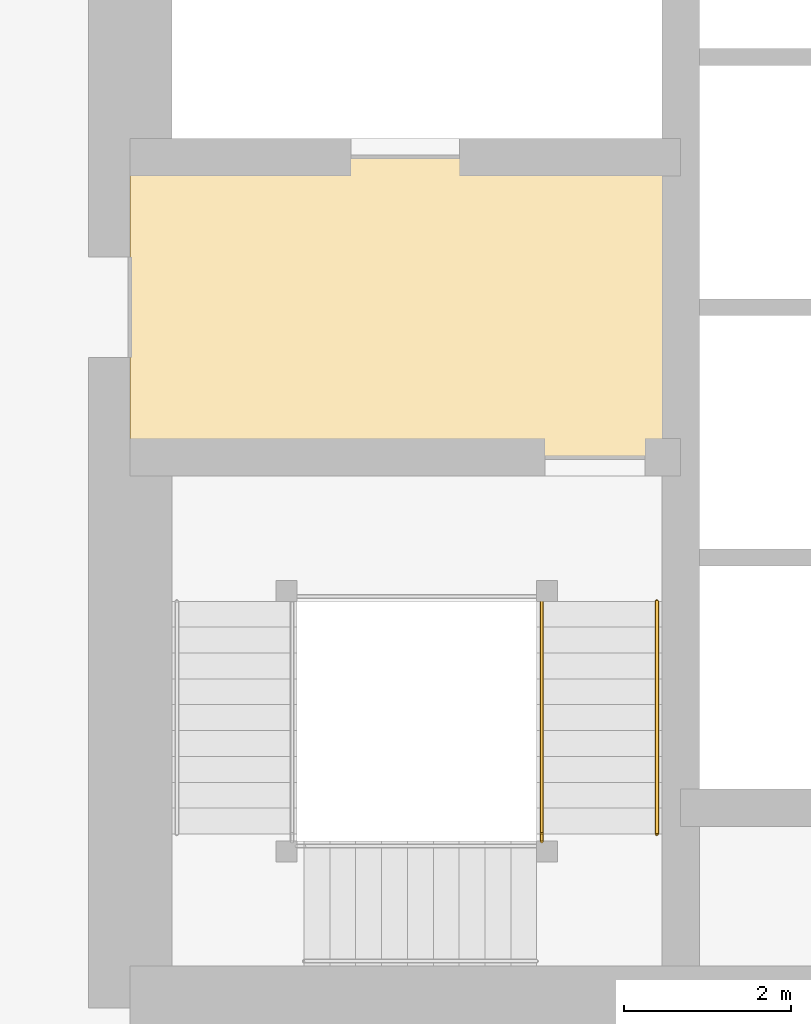
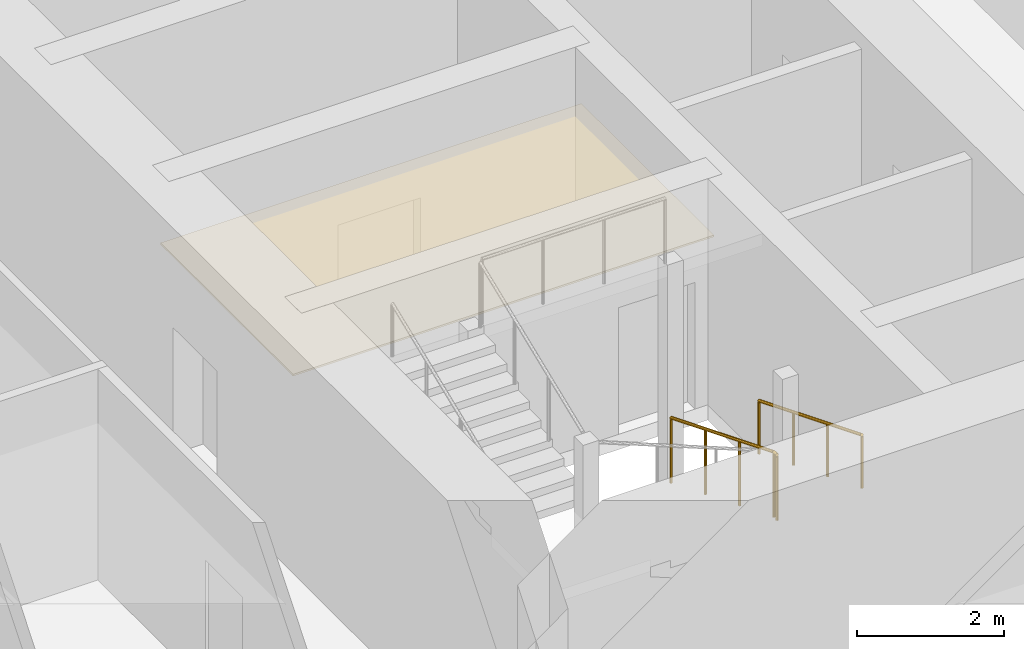
# One storey, part 29 of 37: 3 railings, 1 covering.
"""IFC4 building model written with IfcOpenShell, lengths in metres."""

from ifc_helpers import new_model, si_unit, direction, frame, origin, origin_2d, place, context, subcontext, project, spatial, polyline, circle, outline, extrude, material, layer, layer_set, type_object, element, save


model = new_model("IFC4")

# Units and contexts
model_context = context("Model", 3, precision=1e-05, world=origin(), true_north=direction((0.0, 1.0)))
body_context = subcontext(model_context, "Body", "Model", "MODEL_VIEW")
ifc_project = project(units=[si_unit("LENGTHUNIT", "METRE"), si_unit("AREAUNIT", "SQUARE_METRE"), si_unit("VOLUMEUNIT", "CUBIC_METRE"), si_unit("PLANEANGLEUNIT", "RADIAN"), si_unit("MASSUNIT", "GRAM", prefix="KILO")], contexts=[model_context])

# Site, building, storey
site_placement = place(None, origin())
site = spatial("IfcSite", under=ifc_project, at=site_placement, CompositionType="ELEMENT")
building_placement = place(site_placement, origin())
building = spatial("IfcBuilding", under=site, at=building_placement, Name="Rekha Terrace Tower", CompositionType="ELEMENT")
storey_placement = place(building_placement, frame((0.0, 0.0, 232.699951171875)))
storey = spatial("IfcBuildingStorey", under=building, at=storey_placement, Name="L59", CompositionType="ELEMENT", Elevation=232.699951171875)

# Covering
ifc_material_1 = material(Name="Powder-coated aluminium pan", Category="aluminium")
ifc_layer = layer(ifc_material_1, 0.030029296875)
ifc_layer_set = layer_set([ifc_layer], Name="Powder-coated aluminium pan")
covering_type = type_object("IfcCoveringType", Name="CL3 300x1200 metal pan ceiling", PredefinedType="CEILING", material=ifc_layer_set)
covering_placement = place(storey_placement, frame((0.0, 0.0, 2.570068359375)))
element("IfcCovering", 1, at=covering_placement, inside=storey, type_object=covering_type, Name="Ceiling L59-FLB1", PredefinedType="CEILING", context=body_context, shape_type="SweptSolid", body=[
    extrude(outline(polyline([(31.800048828125, 31.199951171875), (25.199951171875, 31.199951171875), (25.199951171875, 27.60009765625), (31.800048828125, 27.60009765625), (31.800048828125, 31.199951171875)])), origin(), (0.0, 0.0, 1.0), 0.030029296875),
])

# Railings
ifc_material_2 = material(Name="Stainless steel balustrade", Category="steel")
railing_type_1 = type_object("IfcRailingType", Name="GR1 1100 stair guard", PredefinedType="GUARDRAIL", material=ifc_material_2)
railing_1_placement = place(storey_placement, frame((30.135009765625, 25.875, 0.125)))
element("IfcRailing", 2, at=railing_1_placement, inside=storey, type_object=railing_type_1, Name="Guard ST1 L59 flight 1", PredefinedType="GUARDRAIL", context=body_context, shape_type="SweptSolid", body=[
    extrude(circle(Radius=0.02392578125, at=origin_2d()), frame((0.0, 0.0, 1.076171875), z_axis=(0.0, -0.927443287984, 0.373963831907), x_axis=(1.0, 0.0, 0.0)), (0.0, 0.0, 1.0), 3.00830078125),
    extrude(circle(Radius=0.02099609375, at=origin_2d()), origin(), (0.0, 0.0, 1.0), 1.052001953125),
    extrude(circle(Radius=0.02099609375, at=origin_2d()), frame((0.0, -0.929931640625, 0.375)), (0.0, 0.0, 1.0), 1.052001953125),
    extrude(circle(Radius=0.02099609375, at=origin_2d()), frame((0.0, -1.860107421875, 0.75)), (0.0, 0.0, 1.0), 1.052001953125),
    extrude(circle(Radius=0.02099609375, at=origin_2d()), frame((0.0, -2.7900390625, 1.125)), (0.0, 0.0, 1.0), 1.052001953125),
])
railing_2_placement = place(storey_placement, frame((30.135009765625, 23.0849609375, 1.25)))
element("IfcRailing", 3, at=railing_2_placement, inside=storey, type_object=railing_type_1, Name="Guard ST1 L59 landing 1", PredefinedType="GUARDRAIL", context=body_context, shape_type="SweptSolid", body=[
    extrude(circle(Radius=0.02392578125, at=origin_2d()), frame((0.0, 0.0, 1.076171875), z_axis=(0.0, -1.0, 0.0), x_axis=(1.0, 0.0, 0.0)), (0.0, 0.0, 1.0), 0.0849609375),
    extrude(circle(Radius=0.02099609375, at=origin_2d()), origin(), (0.0, 0.0, 1.0), 1.052001953125),
    extrude(circle(Radius=0.02099609375, at=origin_2d()), frame((0.0, -0.0849609375, 0.0)), (0.0, 0.0, 1.0), 1.052001953125),
])
ifc_material_3 = material(Name="Stainless steel tube", Category="steel")
railing_type_2 = type_object("IfcRailingType", Name="HR1 900 stair handrail", PredefinedType="HANDRAIL", material=ifc_material_3)
railing_3_placement = place(storey_placement, frame((31.514892578125, 25.875, 0.125)))
element("IfcRailing", 4, at=railing_3_placement, inside=storey, type_object=railing_type_2, Name="Handrail ST1 L59 flight 1", PredefinedType="HANDRAIL", context=body_context, shape_type="SweptSolid", body=[
    extrude(circle(Radius=0.02392578125, at=origin_2d()), frame((0.0, 0.0, 0.8759765625), z_axis=(0.0, -0.927443287984, 0.373963831907), x_axis=(1.0, 0.0, 0.0)), (0.0, 0.0, 1.0), 3.00830078125),
    extrude(circle(Radius=0.02099609375, at=origin_2d()), origin(), (0.0, 0.0, 1.0), 0.851806640625),
    extrude(circle(Radius=0.02099609375, at=origin_2d()), frame((0.0, -0.929931640625, 0.375)), (0.0, 0.0, 1.0), 0.851806640625),
    extrude(circle(Radius=0.02099609375, at=origin_2d()), frame((0.0, -1.860107421875, 0.75)), (0.0, 0.0, 1.0), 0.851806640625),
    extrude(circle(Radius=0.02099609375, at=origin_2d()), frame((0.0, -2.7900390625, 1.125)), (0.0, 0.0, 1.0), 0.851806640625),
])

save(model, "model.ifc")
